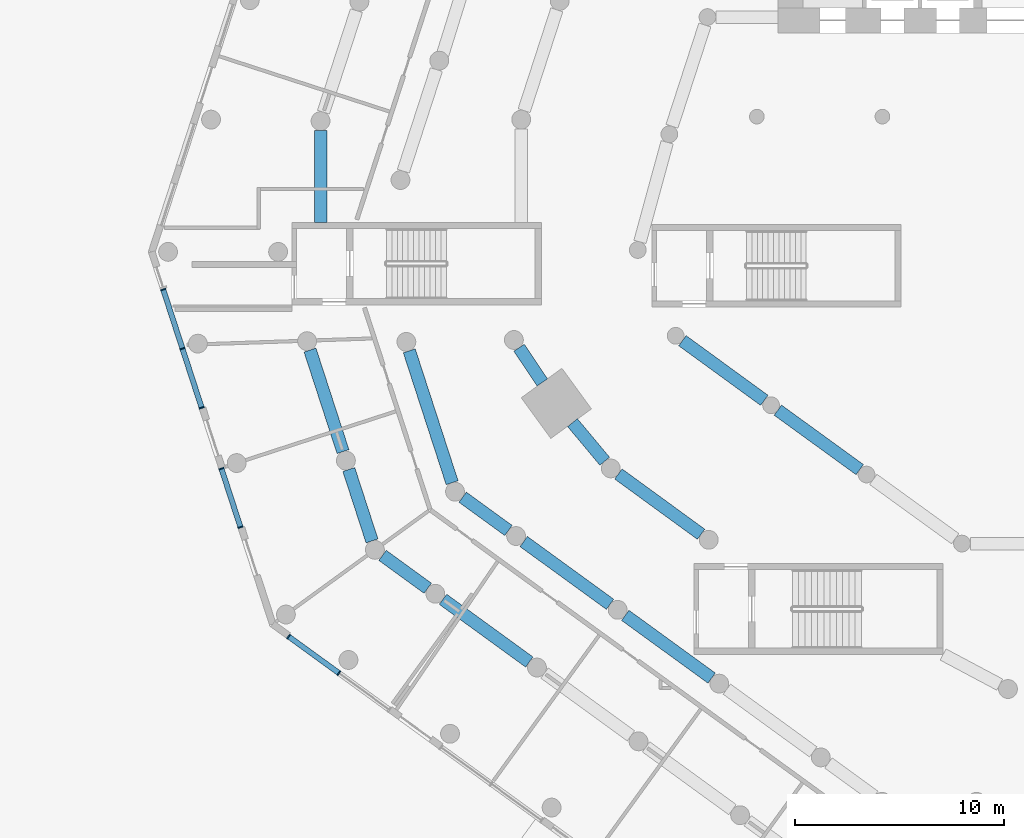
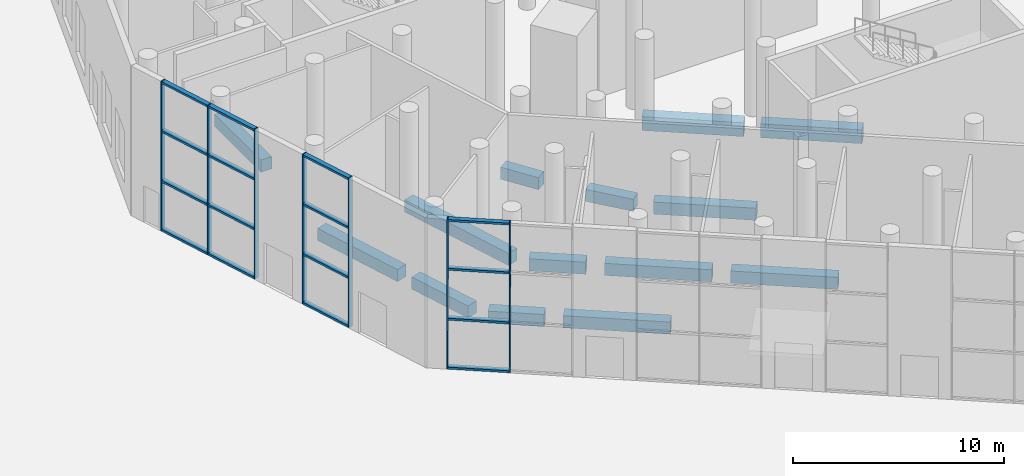
# One storey, part 4 of 25: 23 members, 14 beams, 3 elements without a shape of their own.
"""IFC4 building model written with IfcOpenShell, lengths in metres."""

import ifcopenshell
import ifcopenshell.guid

model = None  # the IFC model being written
_history = None  # IfcOwnerHistory: only IFC2X3 demands one
_inside = {}  # id of a spatial element -> (the spatial element, [elements in it])
_under = {}  # id of a project, library or spatial element -> (it, [spatial elements below it])
_declared = {}  # id of a project -> (the project, [libraries it declares])
_typed = {}  # id of a type object -> (the type object, [elements of that type])
_made_of = {}  # id of a material, layer set ... -> (it, [elements and type objects made of it])


def new_model(schema):
    """Start an empty IFC model of exactly this schema.

    Asked for "IFC4X3", IfcOpenShell would pick the latest addendum, in which some entities
    have other attributes; the version numbers below select the first issue.
    IFC2X3 requires an IfcOwnerHistory on every rooted entity: one is made here for all.
    """
    global model, _history
    if schema == "IFC4X3":
        model = ifcopenshell.file(schema_version=(4, 3, 0, 0))
    else:
        model = ifcopenshell.file(schema=schema)
    _inside.clear()
    _under.clear()
    _declared.clear()
    _typed.clear()
    _made_of.clear()
    _history = None
    if model.schema == "IFC2X3":
        org = make("IfcOrganization", Name="unknown")
        user = make(
            "IfcPersonAndOrganization",
            ThePerson=make("IfcPerson", FamilyName="unknown"),
            TheOrganization=org,
        )
        app = make(
            "IfcApplication",
            ApplicationDeveloper=org,
            Version="unknown",
            ApplicationFullName="unknown",
            ApplicationIdentifier="unknown",
        )
        _history = make(
            "IfcOwnerHistory",
            OwningUser=user,
            OwningApplication=app,
            ChangeAction="ADDED",
            CreationDate=0,
        )
    return model


def make(cls, **values):
    """One entity of the class cls with the attributes given. An attribute that is None is left unset."""
    return model.create_entity(
        cls, **{name: value for name, value in values.items() if value is not None}
    )


def rooted(cls, **values):
    """An entity with a GlobalId (a new one), such as an element, a storey or a relation."""
    return make(cls, GlobalId=ifcopenshell.guid.new(), OwnerHistory=_history, **values)


def si_unit(unit_type, name, prefix=None):
    """IfcSIUnit, for example si_unit("LENGTHUNIT", "METRE", prefix="MILLI")."""
    return make("IfcSIUnit", UnitType=unit_type, Prefix=prefix, Name=name)


def assignment(units):
    """IfcUnitAssignment: the units of a project."""
    return None if units is None else make("IfcUnitAssignment", Units=units)


def point(xyz):
    """IfcCartesianPoint."""
    return None if xyz is None else make("IfcCartesianPoint", Coordinates=xyz)


def direction(xyz):
    """IfcDirection."""
    return None if xyz is None else make("IfcDirection", DirectionRatios=xyz)


def frame(location, z_axis=None, x_axis=None):
    """IfcAxis2Placement3D, a coordinate frame: its origin and axes. An axis left out is left unset."""
    return make(
        "IfcAxis2Placement3D",
        Location=point(location),
        Axis=direction(z_axis),
        RefDirection=direction(x_axis),
    )


def frame_2d(location, x_axis=None):
    """IfcAxis2Placement2D, a coordinate frame in the plane: its origin and x axis."""
    return make(
        "IfcAxis2Placement2D", Location=point(location), RefDirection=direction(x_axis)
    )


def origin():
    """The frame at (0, 0, 0) with its axes left unset."""
    return frame((0.0, 0.0, 0.0))


def origin_2d():
    """The frame at (0, 0) in the plane with its x axis left unset."""
    return frame_2d((0.0, 0.0))


def place(relative_to, where):
    """IfcLocalPlacement: puts the frame where relative to a parent placement (None: the world)."""
    return make(
        "IfcLocalPlacement", PlacementRelTo=relative_to, RelativePlacement=where
    )


def context(
    kind, dimensions, precision=None, world=None, true_north=None, identifier=None
):
    """IfcGeometricRepresentationContext, for example the 3D "Model" context."""
    return make(
        "IfcGeometricRepresentationContext",
        ContextIdentifier=identifier,
        ContextType=kind,
        CoordinateSpaceDimension=dimensions,
        Precision=precision,
        WorldCoordinateSystem=world,
        TrueNorth=true_north,
    )


def subcontext(parent, identifier, kind, view, scale=None):
    """IfcGeometricRepresentationSubContext, for example "Body" below "Model"."""
    return make(
        "IfcGeometricRepresentationSubContext",
        ContextIdentifier=identifier,
        ContextType=kind,
        ParentContext=parent,
        TargetScale=scale,
        TargetView=view,
    )


def project(units=None, contexts=None):
    """IfcProject with its units and contexts."""
    return rooted(
        "IfcProject",
        Name="project",
        RepresentationContexts=contexts,
        UnitsInContext=assignment(units),
    )


def spatial(cls, under=None, at=None, **own):
    """A site, building, storey or space (cls), placed at a placement, below another one or the project."""
    s = rooted(cls, ObjectPlacement=at, **own)
    if under is not None:
        _under.setdefault(under.id(), (under, []))[1].append(s)
    return s


def profile(cls, at=None, kind="AREA", **sizes):
    """A parametric profile (cls). Its sizes go by their IFC names, for example OverallWidth=200.0."""
    return make(cls, ProfileType=kind, Position=at, **sizes)


def rectangle(**sizes):
    """IfcRectangleProfileDef."""
    return profile("IfcRectangleProfileDef", **sizes)


def extrude(swept, where, along, depth):
    """IfcExtrudedAreaSolid: the profile swept, set in the frame where, extruded along a direction by depth."""
    return make(
        "IfcExtrudedAreaSolid",
        SweptArea=swept,
        Position=where,
        ExtrudedDirection=direction(along),
        Depth=depth,
    )


def shape(context_of_items, identifier, shape_type, items):
    """IfcShapeRepresentation: the items that make up one representation, for example the "Body"."""
    return make(
        "IfcShapeRepresentation",
        ContextOfItems=context_of_items,
        RepresentationIdentifier=identifier,
        RepresentationType=shape_type,
        Items=items,
    )


def material(Name=None, Category=None):
    """IfcMaterial."""
    return make("IfcMaterial", Name=Name, Category=Category)


def material_profile(
    of_material, cross_section, Name=None, Category=None, Priority=None
):
    """IfcMaterialProfile: a cross section and its material."""
    return make(
        "IfcMaterialProfile",
        Name=Name,
        Material=of_material,
        Profile=cross_section,
        Priority=Priority,
        Category=Category,
    )


def profile_set(profiles, Name=None, composite=None):
    """IfcMaterialProfileSet."""
    return make(
        "IfcMaterialProfileSet",
        Name=Name,
        MaterialProfiles=profiles,
        CompositeProfile=composite,
    )


def made_of(thing, what):
    """Note that an element or type object is made of a material, layer set ...; save() writes the relation."""
    if what is not None:
        _made_of.setdefault(what.id(), (what, []))[1].append(thing)
    return thing


def type_object(cls, material=None, **own):
    """A type object (cls), such as IfcWallType, which elements share."""
    return made_of(rooted(cls, **own), material)


def element(
    cls,
    number,
    at=None,
    inside=None,
    cuts=None,
    type_object=None,
    material=None,
    context=None,
    identifier="Body",
    shape_type=None,
    held_by="IfcProductDefinitionShape",
    body=None,
    shapes=None,
    **own,
):
    """One element of the class cls, such as IfcWall. Its Tag is "e" and its number.

    at: its placement. inside: the storey or other place that contains it. cuts: it is an
    opening in that element (IfcRelVoidsElement). A single representation is given by context,
    identifier, shape_type and body (its items); several are given by shapes. held_by: the class
    of the entity that holds the representations. save() writes the other relations.
    """
    e = rooted(cls, Tag="e%d" % number, ObjectPlacement=at, **own)
    if body is not None:
        shapes = [shape(context, identifier, shape_type, body)]
    if shapes is not None:
        e.Representation = make(held_by, Representations=shapes)
    if inside is not None:
        _inside.setdefault(inside.id(), (inside, []))[1].append(e)
    if cuts is not None:
        rooted(
            "IfcRelVoidsElement", RelatingBuildingElement=cuts, RelatedOpeningElement=e
        )
    if type_object is not None:
        _typed.setdefault(type_object.id(), (type_object, []))[1].append(e)
    return made_of(e, material)


def aggregate(whole, parts):
    """IfcRelAggregates: a whole, such as a stair, and the parts it consists of."""
    return rooted("IfcRelAggregates", RelatingObject=whole, RelatedObjects=parts)


def save(model, path):
    """Write the relations noted so far, then the file.

    IfcRelAggregates (storeys below a building ...), IfcRelContainedInSpatialStructure (elements
    in a storey), IfcRelDefinesByType, IfcRelAssociatesMaterial and IfcRelDeclares: one each for
    every whole, place, type object, material and project.
    """
    for whole, parts in _under.values():
        aggregate(whole, parts)
    for where, things in _inside.values():
        rooted(
            "IfcRelContainedInSpatialStructure",
            RelatedElements=things,
            RelatingStructure=where,
        )
    for kind, things in _typed.values():
        rooted("IfcRelDefinesByType", RelatedObjects=things, RelatingType=kind)
    for what, things in _made_of.values():
        rooted("IfcRelAssociatesMaterial", RelatedObjects=things, RelatingMaterial=what)
    for by, libraries in _declared.values():
        rooted("IfcRelDeclares", RelatingContext=by, RelatedDefinitions=libraries)
    model.write(path)


model = new_model("IFC4")

# Units and contexts
model_context = context("Model", 3, precision=1e-05, world=origin(), true_north=direction((0.0, 1.0)))
body_context = subcontext(model_context, "Body", "Model", "MODEL_VIEW")
ifc_project = project(units=[si_unit("LENGTHUNIT", "METRE"), si_unit("AREAUNIT", "SQUARE_METRE"), si_unit("VOLUMEUNIT", "CUBIC_METRE"), si_unit("PLANEANGLEUNIT", "RADIAN"), si_unit("MASSUNIT", "GRAM", prefix="KILO")], contexts=[model_context])

# Site, building, storey
site_placement = place(None, origin())
site = spatial("IfcSite", under=ifc_project, at=site_placement, CompositionType="ELEMENT")
building_placement = place(site_placement, origin())
building = spatial("IfcBuilding", under=site, at=building_placement, Name="White Candle Pilgrim Tower", CompositionType="ELEMENT")
storey_placement = place(building_placement, origin())
storey = spatial("IfcBuildingStorey", under=building, at=storey_placement, Name="L00", CompositionType="ELEMENT", Elevation=0.0)

# Curtain wall, members
ifc_material_1 = material(Name="Aluminium and glass", Category="aluminium")
curtain_wall_type = type_object("IfcCurtainWallType", Name="Curtain wall CW1 hall glazing", PredefinedType="NOTDEFINED", material=ifc_material_1)
curtain_wall_1_placement = place(storey_placement, origin())
curtain_wall_1 = element("IfcCurtainWall", 1, at=curtain_wall_1_placement, inside=storey, type_object=curtain_wall_type, Name="Curtain wall CW1 L00 W chamfer", PredefinedType="NOTDEFINED")
ifc_material_2 = material(Name="Aluminium", Category="aluminium")
ifc_material_profile_1 = material_profile(ifc_material_2, rectangle(XDim=0.25, YDim=0.06005859375, at=origin_2d()), Name="CW1 mullion 60x250")
ifc_profile_set_1 = profile_set([ifc_material_profile_1], Name="Aluminium")
member_type_1 = type_object("IfcMemberType", Name="CW1 mullion 60x250", PredefinedType="MULLION", material=ifc_profile_set_1)
member_1_placement = place(storey_placement, frame((29.63623046875, 58.739501953125, 0.0), z_axis=(0.0, 0.0, 1.0), x_axis=(0.951056516311, 0.309016994325, 0.0)))
member_1 = element("IfcMember", 2, at=member_1_placement, type_object=member_type_1, Name="CW1 mullion 1", PredefinedType="MULLION", context=body_context, shape_type="SweptSolid", body=[
    extrude(rectangle(XDim=0.25, YDim=0.06005859375, at=origin_2d()), origin(), (0.0, 0.0, 1.0), 8.64990234375),
])
member_2_placement = place(storey_placement, frame((30.553955078125, 55.914794921875, 0.0), z_axis=(0.0, 0.0, 1.0), x_axis=(0.951056516311, 0.309016994325, 0.0)))
member_2 = element("IfcMember", 3, at=member_2_placement, type_object=member_type_1, Name="CW1 mullion 2", PredefinedType="MULLION", context=body_context, shape_type="SweptSolid", body=[
    extrude(rectangle(XDim=0.25, YDim=0.06005859375, at=origin_2d()), origin(), (0.0, 0.0, 1.0), 8.64990234375),
])
member_3_placement = place(storey_placement, frame((31.4716796875, 53.090087890625, 0.0), z_axis=(0.0, 0.0, 1.0), x_axis=(0.951056516311, 0.309016994325, 0.0)))
member_3 = element("IfcMember", 4, at=member_3_placement, type_object=member_type_1, Name="CW1 mullion 3", PredefinedType="MULLION", context=body_context, shape_type="SweptSolid", body=[
    extrude(rectangle(XDim=0.25, YDim=0.06005859375, at=origin_2d()), origin(), (0.0, 0.0, 1.0), 8.64990234375),
])

curtain_wall_2_placement = place(storey_placement, origin())
curtain_wall_2 = element("IfcCurtainWall", 5, at=curtain_wall_2_placement, inside=storey, type_object=curtain_wall_type, Name="Curtain wall CW1 L00 W chamfer", PredefinedType="NOTDEFINED")
member_4_placement = place(storey_placement, frame((32.417236328125, 50.179931640625, 0.0), z_axis=(0.0, 0.0, 1.0), x_axis=(0.951056516311, 0.309016994325, 0.0)))
member_4 = element("IfcMember", 6, at=member_4_placement, type_object=member_type_1, Name="CW1 mullion 1", PredefinedType="MULLION", context=body_context, shape_type="SweptSolid", body=[
    extrude(rectangle(XDim=0.25, YDim=0.06005859375, at=origin_2d()), origin(), (0.0, 0.0, 1.0), 8.64990234375),
])
member_5_placement = place(storey_placement, frame((33.325927734375, 47.3837890625, 0.0), z_axis=(0.0, 0.0, 1.0), x_axis=(0.951056516311, 0.309016994325, 0.0)))
member_5 = element("IfcMember", 7, at=member_5_placement, type_object=member_type_1, Name="CW1 mullion 2", PredefinedType="MULLION", context=body_context, shape_type="SweptSolid", body=[
    extrude(rectangle(XDim=0.25, YDim=0.06005859375, at=origin_2d()), origin(), (0.0, 0.0, 1.0), 8.64990234375),
])

curtain_wall_3_placement = place(storey_placement, origin())
curtain_wall_3 = element("IfcCurtainWall", 8, at=curtain_wall_3_placement, inside=storey, type_object=curtain_wall_type, Name="Curtain wall CW1 L00 SW", PredefinedType="NOTDEFINED")
member_6_placement = place(storey_placement, frame((35.626708984375, 42.15771484375, 0.0), z_axis=(0.0, 0.0, 1.0), x_axis=(0.587785256867, 0.809016991051, 0.0)))
member_6 = element("IfcMember", 9, at=member_6_placement, type_object=member_type_1, Name="CW1 mullion 1", PredefinedType="MULLION", context=body_context, shape_type="SweptSolid", body=[
    extrude(rectangle(XDim=0.25, YDim=0.06005859375, at=origin_2d()), origin(), (0.0, 0.0, 1.0), 8.64990234375),
])
member_7_placement = place(storey_placement, frame((38.029541015625, 40.411865234375, 0.0), z_axis=(0.0, 0.0, 1.0), x_axis=(0.587785256867, 0.809016991051, 0.0)))
member_7 = element("IfcMember", 10, at=member_7_placement, type_object=member_type_1, Name="CW1 mullion 2", PredefinedType="MULLION", context=body_context, shape_type="SweptSolid", body=[
    extrude(rectangle(XDim=0.25, YDim=0.06005859375, at=origin_2d()), origin(), (0.0, 0.0, 1.0), 8.64990234375),
])

# Member
ifc_material_profile_2 = material_profile(ifc_material_2, rectangle(XDim=0.25, YDim=0.1201171875, at=origin_2d()), Name="CW1 transom 120x250")
ifc_profile_set_2 = profile_set([ifc_material_profile_2], Name="Aluminium")
member_type_2 = type_object("IfcMemberType", Name="CW1 transom 120x250", PredefinedType="USERDEFINED", material=ifc_profile_set_2)
member_8_placement = place(storey_placement, frame((29.6455078125, 58.7109375, 0.06005859375), z_axis=(0.308995011864, -0.951063658565, 0.0), x_axis=(0.951063658565, 0.308995011864, 0.0)))
member_8 = element("IfcMember", 11, at=member_8_placement, type_object=member_type_2, Name="CW1 transom 1.1", ObjectType="TRANSOM", PredefinedType="USERDEFINED", context=body_context, shape_type="SweptSolid", body=[
    extrude(rectangle(XDim=0.25, YDim=0.1201171875, at=origin_2d()), origin(), (0.0, 0.0, 1.0), 2.909912109375),
])

member_9_placement = place(storey_placement, frame((29.6455078125, 58.7109375, 2.88330078125), z_axis=(0.308995011864, -0.951063658565, 0.0), x_axis=(0.951063658565, 0.308995011864, 0.0)))
member_9 = element("IfcMember", 12, at=member_9_placement, type_object=member_type_2, Name="CW1 transom 1.2", ObjectType="TRANSOM", PredefinedType="USERDEFINED", context=body_context, shape_type="SweptSolid", body=[
    extrude(rectangle(XDim=0.25, YDim=0.1201171875, at=origin_2d()), origin(), (0.0, 0.0, 1.0), 2.909912109375),
])

member_10_placement = place(storey_placement, frame((29.6455078125, 58.7109375, 5.7666015625), z_axis=(0.308995011864, -0.951063658565, 0.0), x_axis=(0.951063658565, 0.308995011864, 0.0)))
member_10 = element("IfcMember", 13, at=member_10_placement, type_object=member_type_2, Name="CW1 transom 1.3", ObjectType="TRANSOM", PredefinedType="USERDEFINED", context=body_context, shape_type="SweptSolid", body=[
    extrude(rectangle(XDim=0.25, YDim=0.1201171875, at=origin_2d()), origin(), (0.0, 0.0, 1.0), 2.909912109375),
])

member_11_placement = place(storey_placement, frame((29.6455078125, 58.7109375, 8.590087890625), z_axis=(0.308995011864, -0.951063658565, 0.0), x_axis=(0.951063658565, 0.308995011864, 0.0)))
member_11 = element("IfcMember", 14, at=member_11_placement, type_object=member_type_2, Name="CW1 transom 1.4", ObjectType="TRANSOM", PredefinedType="USERDEFINED", context=body_context, shape_type="SweptSolid", body=[
    extrude(rectangle(XDim=0.25, YDim=0.1201171875, at=origin_2d()), origin(), (0.0, 0.0, 1.0), 2.909912109375),
])

member_12_placement = place(storey_placement, frame((30.563232421875, 55.88623046875, 0.06005859375), z_axis=(0.308995011864, -0.951063658565, 0.0), x_axis=(0.951063658565, 0.308995011864, 0.0)))
member_12 = element("IfcMember", 15, at=member_12_placement, type_object=member_type_2, Name="CW1 transom 2.1", ObjectType="TRANSOM", PredefinedType="USERDEFINED", context=body_context, shape_type="SweptSolid", body=[
    extrude(rectangle(XDim=0.25, YDim=0.1201171875, at=origin_2d()), origin(), (0.0, 0.0, 1.0), 2.909912109375),
])

member_13_placement = place(storey_placement, frame((30.563232421875, 55.88623046875, 2.88330078125), z_axis=(0.308995011864, -0.951063658565, 0.0), x_axis=(0.951063658565, 0.308995011864, 0.0)))
member_13 = element("IfcMember", 16, at=member_13_placement, type_object=member_type_2, Name="CW1 transom 2.2", ObjectType="TRANSOM", PredefinedType="USERDEFINED", context=body_context, shape_type="SweptSolid", body=[
    extrude(rectangle(XDim=0.25, YDim=0.1201171875, at=origin_2d()), origin(), (0.0, 0.0, 1.0), 2.909912109375),
])

member_14_placement = place(storey_placement, frame((30.563232421875, 55.88623046875, 5.7666015625), z_axis=(0.308995011864, -0.951063658565, 0.0), x_axis=(0.951063658565, 0.308995011864, 0.0)))
member_14 = element("IfcMember", 17, at=member_14_placement, type_object=member_type_2, Name="CW1 transom 2.3", ObjectType="TRANSOM", PredefinedType="USERDEFINED", context=body_context, shape_type="SweptSolid", body=[
    extrude(rectangle(XDim=0.25, YDim=0.1201171875, at=origin_2d()), origin(), (0.0, 0.0, 1.0), 2.909912109375),
])

member_15_placement = place(storey_placement, frame((30.563232421875, 55.88623046875, 8.590087890625), z_axis=(0.308995011864, -0.951063658565, 0.0), x_axis=(0.951063658565, 0.308995011864, 0.0)))
member_15 = element("IfcMember", 18, at=member_15_placement, type_object=member_type_2, Name="CW1 transom 2.4", ObjectType="TRANSOM", PredefinedType="USERDEFINED", context=body_context, shape_type="SweptSolid", body=[
    extrude(rectangle(XDim=0.25, YDim=0.1201171875, at=origin_2d()), origin(), (0.0, 0.0, 1.0), 2.909912109375),
])

aggregate(curtain_wall_1, [member_1, member_2, member_3, member_8, member_9, member_10, member_11, member_12, member_13, member_14, member_15])

member_16_placement = place(storey_placement, frame((32.426513671875, 50.1513671875, 0.06005859375), z_axis=(0.309072654729, -0.951038429349, 0.0), x_axis=(0.951038429349, 0.309072654729, 0.0)))
member_16 = element("IfcMember", 19, at=member_16_placement, type_object=member_type_2, Name="CW1 transom 1.1", ObjectType="TRANSOM", PredefinedType="USERDEFINED", context=body_context, shape_type="SweptSolid", body=[
    extrude(rectangle(XDim=0.25, YDim=0.1201171875, at=origin_2d()), origin(), (0.0, 0.0, 1.0), 2.880126953125),
])

member_17_placement = place(storey_placement, frame((32.426513671875, 50.1513671875, 2.88330078125), z_axis=(0.309072654729, -0.951038429349, 0.0), x_axis=(0.951038429349, 0.309072654729, 0.0)))
member_17 = element("IfcMember", 20, at=member_17_placement, type_object=member_type_2, Name="CW1 transom 1.2", ObjectType="TRANSOM", PredefinedType="USERDEFINED", context=body_context, shape_type="SweptSolid", body=[
    extrude(rectangle(XDim=0.25, YDim=0.1201171875, at=origin_2d()), origin(), (0.0, 0.0, 1.0), 2.880126953125),
])

member_18_placement = place(storey_placement, frame((32.426513671875, 50.1513671875, 5.7666015625), z_axis=(0.309072654729, -0.951038429349, 0.0), x_axis=(0.951038429349, 0.309072654729, 0.0)))
member_18 = element("IfcMember", 21, at=member_18_placement, type_object=member_type_2, Name="CW1 transom 1.3", ObjectType="TRANSOM", PredefinedType="USERDEFINED", context=body_context, shape_type="SweptSolid", body=[
    extrude(rectangle(XDim=0.25, YDim=0.1201171875, at=origin_2d()), origin(), (0.0, 0.0, 1.0), 2.880126953125),
])

member_19_placement = place(storey_placement, frame((32.426513671875, 50.1513671875, 8.590087890625), z_axis=(0.309072654729, -0.951038429349, 0.0), x_axis=(0.951038429349, 0.309072654729, 0.0)))
member_19 = element("IfcMember", 22, at=member_19_placement, type_object=member_type_2, Name="CW1 transom 1.4", ObjectType="TRANSOM", PredefinedType="USERDEFINED", context=body_context, shape_type="SweptSolid", body=[
    extrude(rectangle(XDim=0.25, YDim=0.1201171875, at=origin_2d()), origin(), (0.0, 0.0, 1.0), 2.880126953125),
])

aggregate(curtain_wall_2, [member_4, member_5, member_16, member_17, member_18, member_19])

member_20_placement = place(storey_placement, frame((35.65087890625, 42.139892578125, 0.06005859375), z_axis=(0.809018973085, -0.587782528822, 0.0), x_axis=(0.587782528822, 0.809018973085, 0.0)))
member_20 = element("IfcMember", 23, at=member_20_placement, type_object=member_type_2, Name="CW1 transom 1.1", ObjectType="TRANSOM", PredefinedType="USERDEFINED", context=body_context, shape_type="SweptSolid", body=[
    extrude(rectangle(XDim=0.25, YDim=0.1201171875, at=origin_2d()), origin(), (0.0, 0.0, 1.0), 2.909912109375),
])

member_21_placement = place(storey_placement, frame((35.65087890625, 42.139892578125, 2.88330078125), z_axis=(0.809018973085, -0.587782528822, 0.0), x_axis=(0.587782528822, 0.809018973085, 0.0)))
member_21 = element("IfcMember", 24, at=member_21_placement, type_object=member_type_2, Name="CW1 transom 1.2", ObjectType="TRANSOM", PredefinedType="USERDEFINED", context=body_context, shape_type="SweptSolid", body=[
    extrude(rectangle(XDim=0.25, YDim=0.1201171875, at=origin_2d()), origin(), (0.0, 0.0, 1.0), 2.909912109375),
])

member_22_placement = place(storey_placement, frame((35.65087890625, 42.139892578125, 5.7666015625), z_axis=(0.809018973085, -0.587782528822, 0.0), x_axis=(0.587782528822, 0.809018973085, 0.0)))
member_22 = element("IfcMember", 25, at=member_22_placement, type_object=member_type_2, Name="CW1 transom 1.3", ObjectType="TRANSOM", PredefinedType="USERDEFINED", context=body_context, shape_type="SweptSolid", body=[
    extrude(rectangle(XDim=0.25, YDim=0.1201171875, at=origin_2d()), origin(), (0.0, 0.0, 1.0), 2.909912109375),
])

member_23_placement = place(storey_placement, frame((35.65087890625, 42.139892578125, 8.590087890625), z_axis=(0.809018973085, -0.587782528822, 0.0), x_axis=(0.587782528822, 0.809018973085, 0.0)))
member_23 = element("IfcMember", 26, at=member_23_placement, type_object=member_type_2, Name="CW1 transom 1.4", ObjectType="TRANSOM", PredefinedType="USERDEFINED", context=body_context, shape_type="SweptSolid", body=[
    extrude(rectangle(XDim=0.25, YDim=0.1201171875, at=origin_2d()), origin(), (0.0, 0.0, 1.0), 2.909912109375),
])

aggregate(curtain_wall_3, [member_6, member_7, member_20, member_21, member_22, member_23])

# Beams
ifc_material_3 = material(Name="Concrete C50/60", Category="concrete")
ifc_material_profile_3 = material_profile(ifc_material_3, rectangle(XDim=0.60009765625, YDim=0.800048828125, at=origin_2d()), Name="RC-BM 600x800")
ifc_profile_set_3 = profile_set([ifc_material_profile_3], Name="Concrete C50/60")
beam_type_1 = type_object("IfcBeamType", Name="Ring beam RC-BM 600x800 C50/60", PredefinedType="BEAM", material=ifc_profile_set_3)
beam_1_placement = place(storey_placement, frame((54.443115234375, 56.294677734375, -0.85009765625), z_axis=(0.808428473545, -0.588594430115, 0.0), x_axis=(0.588594430115, 0.808428473545, 0.0)))
element("IfcBeam", 27, at=beam_1_placement, inside=storey, type_object=beam_type_1, Name="L00 ring beam R01", PredefinedType="BEAM", context=body_context, shape_type="SweptSolid", body=[
    extrude(rectangle(XDim=0.60009765625, YDim=0.800048828125, at=origin_2d()), origin(), (0.0, 0.0, 1.0), 4.841064453125),
])
beam_2_placement = place(storey_placement, frame((59.00341796875, 52.97509765625, -0.85009765625), z_axis=(0.809305595912, -0.587387821141, 0.0), x_axis=(0.587387821141, 0.809305595912, 0.0)))
element("IfcBeam", 28, at=beam_2_placement, inside=storey, type_object=beam_type_1, Name="L00 ring beam R02", PredefinedType="BEAM", context=body_context, shape_type="SweptSolid", body=[
    extrude(rectangle(XDim=0.60009765625, YDim=0.800048828125, at=origin_2d()), origin(), (0.0, 0.0, 1.0), 4.835205078125),
])
ifc_material_profile_4 = material_profile(ifc_material_3, rectangle(XDim=0.60009765625, YDim=0.699951171875, at=origin_2d()), Name="RC-BM 600x700")
ifc_profile_set_4 = profile_set([ifc_material_profile_4], Name="Concrete C50/60")
beam_type_2 = type_object("IfcBeamType", Name="Spandrel beam RC-BM 600x700 C50/60", PredefinedType="BEAM", material=ifc_profile_set_4)
beam_3_placement = place(storey_placement, frame((46.640380859375, 55.956298828125, -0.800048828125), z_axis=(0.556617573138, -0.830768847077, 0.0), x_axis=(0.830768847077, 0.556617573138, 0.0)))
element("IfcBeam", 29, at=beam_3_placement, inside=storey, type_object=beam_type_2, Name="L00 spandrel beam T01", PredefinedType="BEAM", context=body_context, shape_type="SweptSolid", body=[
    extrude(rectangle(XDim=0.60009765625, YDim=0.699951171875, at=origin_2d()), origin(), (0.0, 0.0, 1.0), 1.99658203125),
])
beam_4_placement = place(storey_placement, frame((49.19140625, 52.377197265625, -0.800048828125), z_axis=(0.641413771477, -0.767195134083, 0.0), x_axis=(0.767195134083, 0.641413771477, 0.0)))
element("IfcBeam", 30, at=beam_4_placement, inside=storey, type_object=beam_type_2, Name="L00 spandrel beam T02", PredefinedType="BEAM", context=body_context, shape_type="SweptSolid", body=[
    extrude(rectangle(XDim=0.60009765625, YDim=0.699951171875, at=origin_2d()), origin(), (0.0, 0.0, 1.0), 2.401123046875),
])
beam_5_placement = place(storey_placement, frame((51.383544921875, 49.925048828125, -0.800048828125), z_axis=(0.808219865497, -0.588880844498, 0.0), x_axis=(0.588880844498, 0.808219865497, 0.0)))
element("IfcBeam", 31, at=beam_5_placement, inside=storey, type_object=beam_type_2, Name="L00 spandrel beam T03", PredefinedType="BEAM", context=body_context, shape_type="SweptSolid", body=[
    extrude(rectangle(XDim=0.60009765625, YDim=0.699951171875, at=origin_2d()), origin(), (0.0, 0.0, 1.0), 4.890869140625),
])
beam_6_placement = place(storey_placement, frame((36.64892578125, 55.84521484375, -0.800048828125), z_axis=(0.308996245399, -0.951063257796, 0.0), x_axis=(0.951063257796, 0.308996245399, 0.0)))
element("IfcBeam", 32, at=beam_6_placement, inside=storey, type_object=beam_type_2, Name="L00 spandrel beam B01", PredefinedType="BEAM", context=body_context, shape_type="SweptSolid", body=[
    extrude(rectangle(XDim=0.60009765625, YDim=0.699951171875, at=origin_2d()), origin(), (0.0, 0.0, 1.0), 5.100830078125),
])
beam_7_placement = place(storey_placement, frame((38.5029296875, 50.13818359375, -0.800048828125), z_axis=(0.309029111375, -0.951052579158, 0.0), x_axis=(0.951052579158, 0.309029111375, 0.0)))
element("IfcBeam", 33, at=beam_7_placement, inside=storey, type_object=beam_type_2, Name="L00 spandrel beam B02", PredefinedType="BEAM", context=body_context, shape_type="SweptSolid", body=[
    extrude(rectangle(XDim=0.60009765625, YDim=0.699951171875, at=origin_2d()), origin(), (0.0, 0.0, 1.0), 3.5859375),
])
beam_8_placement = place(storey_placement, frame((40.11376953125, 46.03564453125, -0.800048828125), z_axis=(0.808941690676, -0.587888884982, 0.0), x_axis=(0.587888884982, 0.808941690676, 0.0)))
element("IfcBeam", 34, at=beam_8_placement, inside=storey, type_object=beam_type_2, Name="L00 spandrel beam B03", PredefinedType="BEAM", context=body_context, shape_type="SweptSolid", body=[
    extrude(rectangle(XDim=0.60009765625, YDim=0.699951171875, at=origin_2d()), origin(), (0.0, 0.0, 1.0), 2.66943359375),
])
beam_9_placement = place(storey_placement, frame((43.0009765625, 43.937744140625, -0.800048828125), z_axis=(0.809112607881, -0.587653629078, 0.0), x_axis=(0.587653629078, 0.809112607881, 0.0)))
element("IfcBeam", 35, at=beam_9_placement, inside=storey, type_object=beam_type_2, Name="L00 spandrel beam B04", PredefinedType="BEAM", context=body_context, shape_type="SweptSolid", body=[
    extrude(rectangle(XDim=0.60009765625, YDim=0.699951171875, at=origin_2d()), origin(), (0.0, 0.0, 1.0), 5.100830078125),
])
beam_10_placement = place(storey_placement, frame((37.153076171875, 66.3369140625, -0.800048828125), z_axis=(0.0, -1.0, 0.0), x_axis=(1.0, 0.0, 0.0)))
element("IfcBeam", 36, at=beam_10_placement, inside=storey, type_object=beam_type_2, Name="L00 spandrel beam B27", PredefinedType="BEAM", context=body_context, shape_type="SweptSolid", body=[
    extrude(rectangle(XDim=0.60009765625, YDim=0.699951171875, at=origin_2d()), origin(), (0.0, 0.0, 1.0), 4.386962890625),
])
beam_11_placement = place(storey_placement, frame((41.39208984375, 55.80908203125, -0.800048828125), z_axis=(0.308987736587, -0.951066022229, 0.0), x_axis=(0.951066022229, 0.308987736587, 0.0)))
element("IfcBeam", 37, at=beam_11_placement, inside=storey, type_object=beam_type_2, Name="L00 spandrel beam C01", PredefinedType="BEAM", context=body_context, shape_type="SweptSolid", body=[
    extrude(rectangle(XDim=0.60009765625, YDim=0.699951171875, at=origin_2d()), origin(), (0.0, 0.0, 1.0), 6.62451171875),
])
beam_12_placement = place(storey_placement, frame((43.94189453125, 48.816650390625, -0.800048828125), z_axis=(0.809008975915, -0.587796288598, 0.0), x_axis=(0.587796288598, 0.809008975915, 0.0)))
element("IfcBeam", 38, at=beam_12_placement, inside=storey, type_object=beam_type_2, Name="L00 spandrel beam C02", PredefinedType="BEAM", context=body_context, shape_type="SweptSolid", body=[
    extrude(rectangle(XDim=0.60009765625, YDim=0.699951171875, at=origin_2d()), origin(), (0.0, 0.0, 1.0), 2.707275390625),
])
beam_13_placement = place(storey_placement, frame((46.85986328125, 46.696533203125, -0.800048828125), z_axis=(0.80900095282, -0.587807330965, 0.0), x_axis=(0.587807330965, 0.80900095282, 0.0)))
element("IfcBeam", 39, at=beam_13_placement, inside=storey, type_object=beam_type_2, Name="L00 spandrel beam C03", PredefinedType="BEAM", context=body_context, shape_type="SweptSolid", body=[
    extrude(rectangle(XDim=0.60009765625, YDim=0.699951171875, at=origin_2d()), origin(), (0.0, 0.0, 1.0), 5.100341796875),
])
beam_14_placement = place(storey_placement, frame((51.7138671875, 43.169677734375, -0.800048828125), z_axis=(0.809069240735, -0.587713334625, 0.0), x_axis=(0.587713334625, 0.809069240735, 0.0)))
element("IfcBeam", 40, at=beam_14_placement, inside=storey, type_object=beam_type_2, Name="L00 spandrel beam C04", PredefinedType="BEAM", context=body_context, shape_type="SweptSolid", body=[
    extrude(rectangle(XDim=0.60009765625, YDim=0.699951171875, at=origin_2d()), origin(), (0.0, 0.0, 1.0), 5.099853515625),
])

save(model, "model.ifc")
